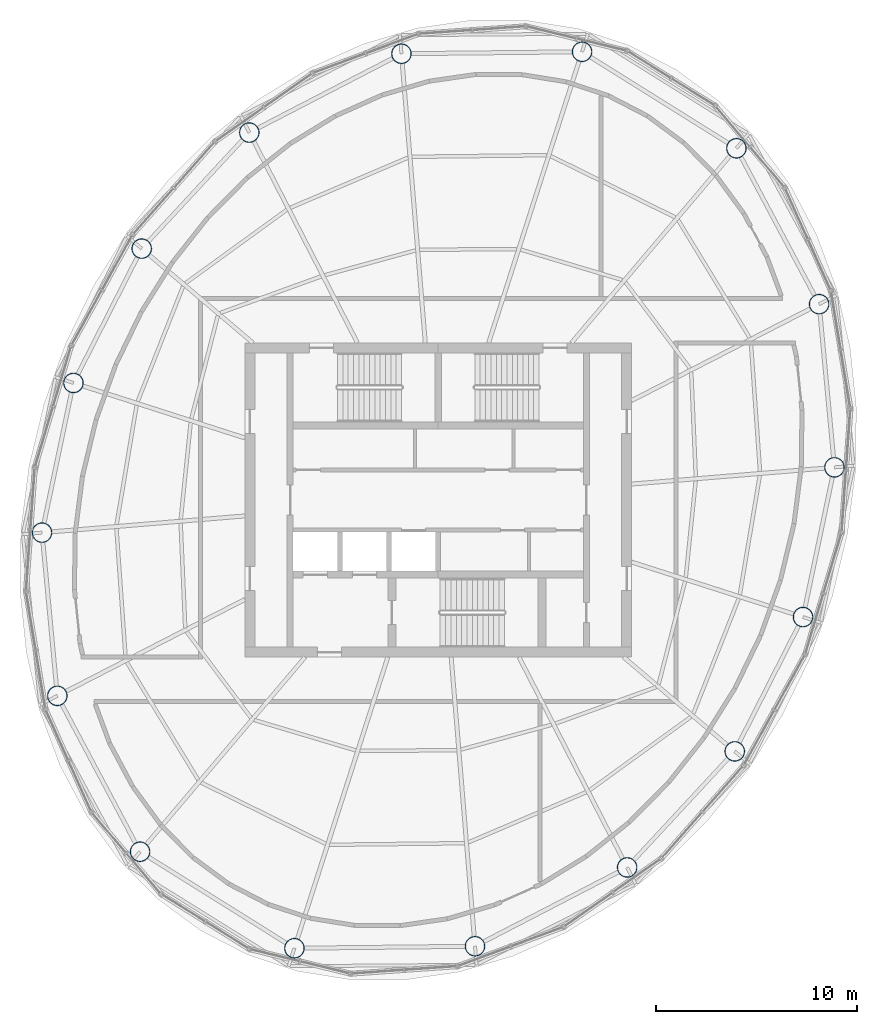
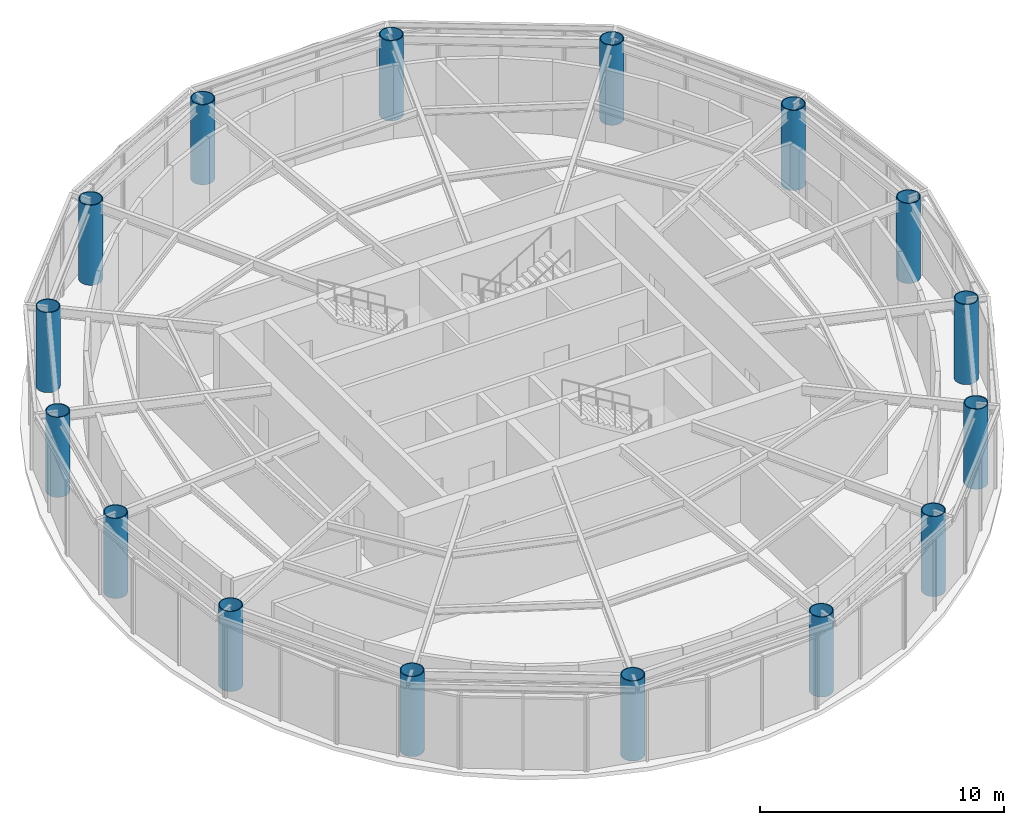
# One storey, part 1 of 11: 16 columns.
"""IFC4 building model written with IfcOpenShell, lengths in metres."""

from ifc_helpers import new_model, si_unit, direction, frame, origin, origin_2d, place, context, subcontext, project, spatial, hollow_circle, extrude, material, material_profile, profile_set, type_object, element, save


model = new_model("IFC4")

# Units and contexts
model_context = context("Model", 3, precision=1e-05, world=origin(), true_north=direction((0.0, 1.0)))
body_context = subcontext(model_context, "Body", "Model", "MODEL_VIEW")
ifc_project = project(units=[si_unit("LENGTHUNIT", "METRE"), si_unit("AREAUNIT", "SQUARE_METRE"), si_unit("VOLUMEUNIT", "CUBIC_METRE"), si_unit("PLANEANGLEUNIT", "RADIAN"), si_unit("MASSUNIT", "GRAM", prefix="KILO")], contexts=[model_context])

# Site, building, storey
site_placement = place(None, origin())
site = spatial("IfcSite", under=ifc_project, at=site_placement, CompositionType="ELEMENT")
building_placement = place(site_placement, origin())
building = spatial("IfcBuilding", under=site, at=building_placement, Name="Vermilion Reach Broadcast Tower", CompositionType="ELEMENT")
storey_placement = place(building_placement, frame((0.0, 0.0, 317.10009765625)))
storey = spatial("IfcBuildingStorey", under=building, at=storey_placement, Name="L79 CROWN", CompositionType="ELEMENT", Elevation=317.10009765625)

# Columns
ifc_material = material(Name="Concrete C60 infill in steel S460NL tube", Category="concrete")
ifc_material_profile = material_profile(ifc_material, hollow_circle(Radius=0.5, WallThickness=0.0400390625, at=origin_2d()), Name="Concrete C60 infill in steel S460NL tube CFT 1000x40")
ifc_profile_set = profile_set([ifc_material_profile], Name="Concrete C60 infill in steel S460NL tube")
column_type = type_object("IfcColumnType", Name="MC5 CFT 1000x40", PredefinedType="COLUMN", material=ifc_profile_set)
for number, where, z_axis, x_axis, name in (
    (1, (1.138427734375, 22.2470703125, 0.0), (0.0, 0.0, 1.0), (1.0, 0.0, 0.0), "Mega-column MC5-01"),
    (2, (-7.824951171875, 22.1494140625, 0.0), (0.0, 0.0, 1.0), (1.0, 0.0, 0.0), "Mega-column MC5-02"),
    (3, (-15.376953125, 18.23779296875, 0.0), (0.0, 0.0, 1.0), (1.0, 0.0, 0.0), "Mega-column MC5-03"),
    (4, (-20.717529296875, 12.476806640625, 0.0), (0.0, 0.0, 1.0), (1.0, 0.0, 0.0), "Mega-column MC5-04"),
    (5, (-24.10595703125, 5.809814453125, 0.0), (0.0, 0.0, 1.0), (1.0, 0.0, 0.0), "Mega-column MC5-05"),
    (6, (-25.665771484375, -1.620361328125, 0.0), (0.0, 0.0, 1.0), (1.0, 0.0, 0.0), "Mega-column MC5-06"),
    (7, (-24.905517578125, -9.72021484375, 0.0), (0.0, 0.0, 1.0), (1.0, 0.0, 0.0), "Mega-column MC5-07"),
    (8, (-20.799560546875, -17.457275390625, 0.0), (0.0, 0.0, 1.0), (1.0, 0.0, 0.0), "Mega-column MC5-08"),
    (9, (-13.138427734375, -22.2470703125, 0.0), (0.0, 0.0, 1.0), (1.0, 0.0, 0.0), "Mega-column MC5-09"),
    (10, (-4.175048828125, -22.1494140625, 0.0), (0.0, 0.0, 1.0), (1.0, 0.0, 0.0), "Mega-column MC5-10"),
    (11, (3.376953125, -18.23779296875, 0.0), (0.0, 0.0, 1.0), (1.0, 0.0, 0.0), "Mega-column MC5-11"),
    (12, (8.717529296875, -12.476806640625, 0.0), (0.0, 0.0, 1.0), (1.0, 0.0, 0.0), "Mega-column MC5-12"),
    (13, (12.10595703125, -5.809814453125, 0.0), (0.0, 0.0, 1.0), (1.0, 0.0, 0.0), "Mega-column MC5-13"),
    (14, (13.665771484375, 1.620361328125, 0.0), (0.0, 0.0, 1.0), (1.0, 0.0, 0.0), "Mega-column MC5-14"),
    (15, (12.905517578125, 9.72021484375, 0.0), (0.0, 0.0, 1.0), (1.0, 0.0, 0.0), "Mega-column MC5-15"),
    (16, (8.799560546875, 17.457275390625, 0.0), (0.0, 0.0, 1.0), (1.0, 0.0, 0.0), "Mega-column MC5-16"),
):
    element("IfcColumn", number, at=place(storey_placement, frame(where, z_axis=z_axis, x_axis=x_axis)), inside=storey, type_object=column_type, Name=name, PredefinedType="COLUMN", context=body_context, shape_type="SweptSolid", body=[
        extrude(hollow_circle(Radius=0.5, WallThickness=0.0400390625, at=origin_2d()), origin(), (0.0, 0.0, 1.0), 4.0),
    ])

save(model, "model.ifc")
